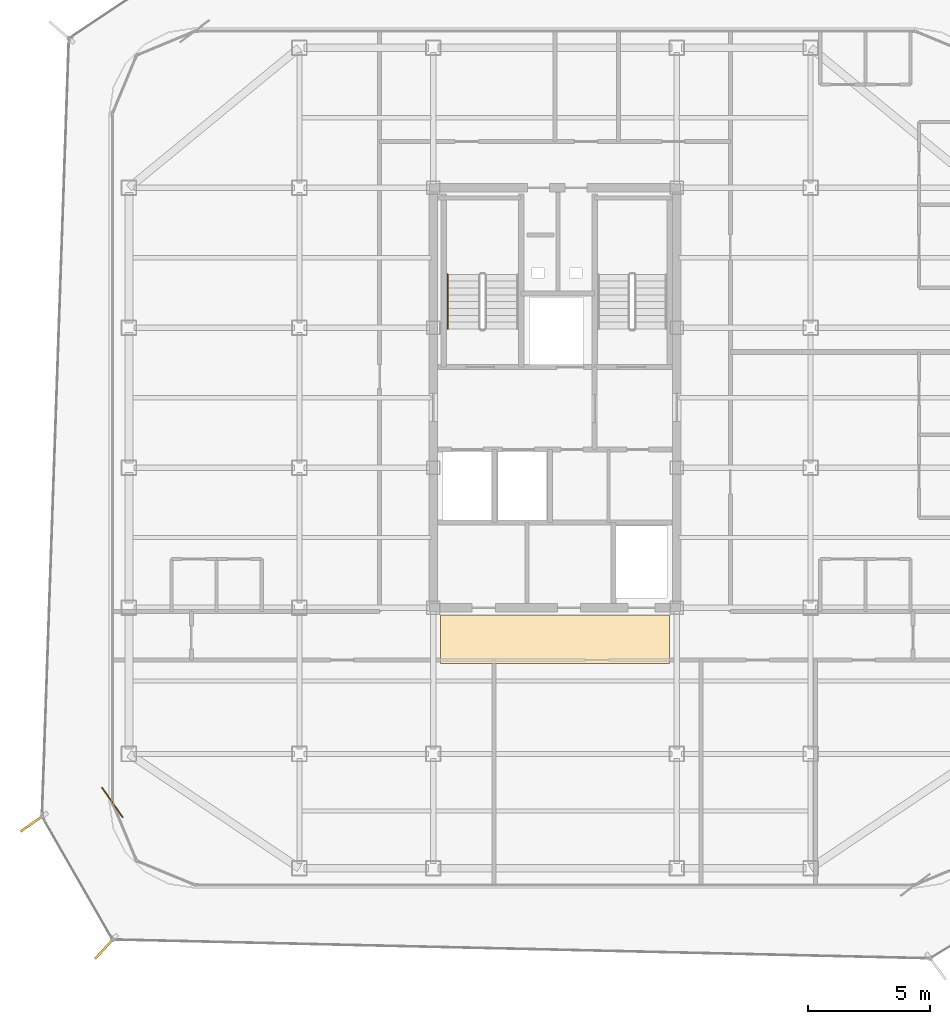
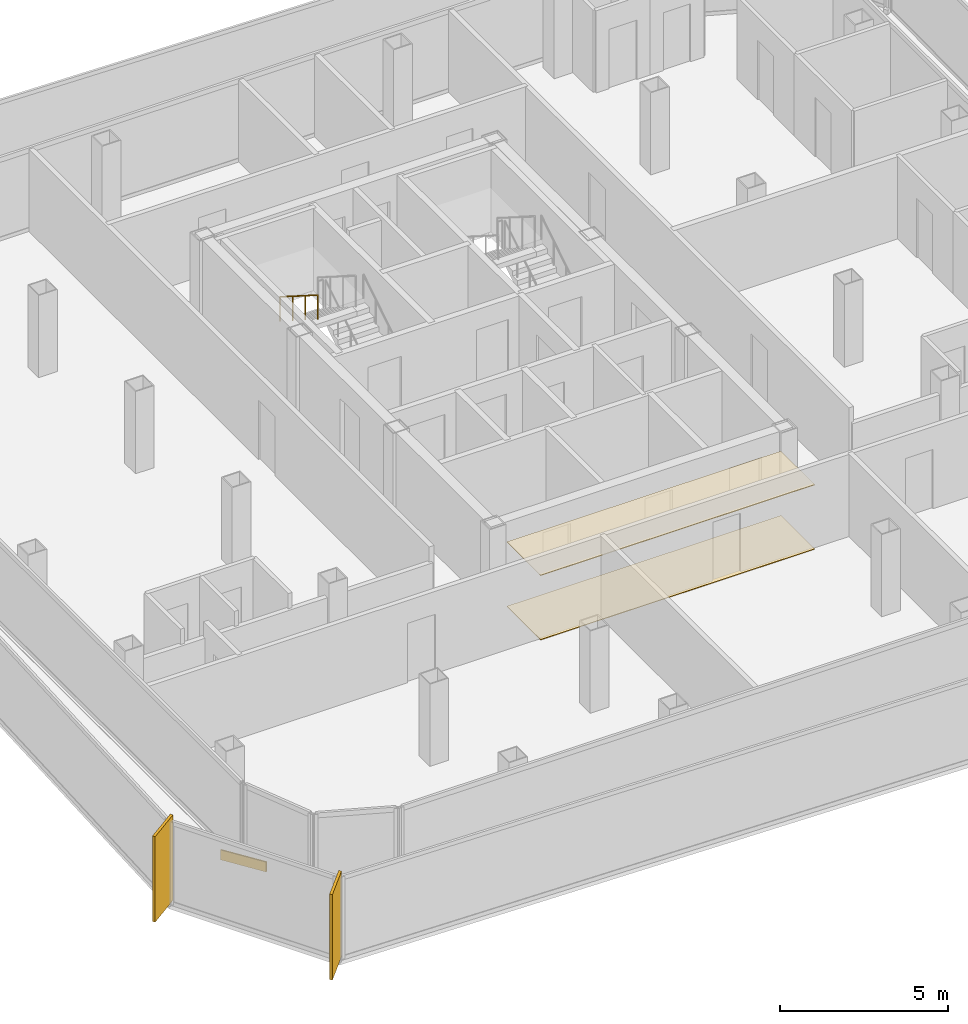
# One storey, part 13 of 15: 3 coverings, 2 shading devices, 1 railing.
"""IFC4 building model written with IfcOpenShell, lengths in metres."""

import ifcopenshell
import ifcopenshell.guid

model = None  # the IFC model being written
_history = None  # IfcOwnerHistory: only IFC2X3 demands one
_inside = {}  # id of a spatial element -> (the spatial element, [elements in it])
_under = {}  # id of a project, library or spatial element -> (it, [spatial elements below it])
_declared = {}  # id of a project -> (the project, [libraries it declares])
_typed = {}  # id of a type object -> (the type object, [elements of that type])
_made_of = {}  # id of a material, layer set ... -> (it, [elements and type objects made of it])


def new_model(schema):
    """Start an empty IFC model of exactly this schema.

    Asked for "IFC4X3", IfcOpenShell would pick the latest addendum, in which some entities
    have other attributes; the version numbers below select the first issue.
    IFC2X3 requires an IfcOwnerHistory on every rooted entity: one is made here for all.
    """
    global model, _history
    if schema == "IFC4X3":
        model = ifcopenshell.file(schema_version=(4, 3, 0, 0))
    else:
        model = ifcopenshell.file(schema=schema)
    _inside.clear()
    _under.clear()
    _declared.clear()
    _typed.clear()
    _made_of.clear()
    _history = None
    if model.schema == "IFC2X3":
        org = make("IfcOrganization", Name="unknown")
        user = make(
            "IfcPersonAndOrganization",
            ThePerson=make("IfcPerson", FamilyName="unknown"),
            TheOrganization=org,
        )
        app = make(
            "IfcApplication",
            ApplicationDeveloper=org,
            Version="unknown",
            ApplicationFullName="unknown",
            ApplicationIdentifier="unknown",
        )
        _history = make(
            "IfcOwnerHistory",
            OwningUser=user,
            OwningApplication=app,
            ChangeAction="ADDED",
            CreationDate=0,
        )
    return model


def make(cls, **values):
    """One entity of the class cls with the attributes given. An attribute that is None is left unset."""
    return model.create_entity(
        cls, **{name: value for name, value in values.items() if value is not None}
    )


def rooted(cls, **values):
    """An entity with a GlobalId (a new one), such as an element, a storey or a relation."""
    return make(cls, GlobalId=ifcopenshell.guid.new(), OwnerHistory=_history, **values)


def si_unit(unit_type, name, prefix=None):
    """IfcSIUnit, for example si_unit("LENGTHUNIT", "METRE", prefix="MILLI")."""
    return make("IfcSIUnit", UnitType=unit_type, Prefix=prefix, Name=name)


def assignment(units):
    """IfcUnitAssignment: the units of a project."""
    return None if units is None else make("IfcUnitAssignment", Units=units)


def point(xyz):
    """IfcCartesianPoint."""
    return None if xyz is None else make("IfcCartesianPoint", Coordinates=xyz)


def direction(xyz):
    """IfcDirection."""
    return None if xyz is None else make("IfcDirection", DirectionRatios=xyz)


def frame(location, z_axis=None, x_axis=None):
    """IfcAxis2Placement3D, a coordinate frame: its origin and axes. An axis left out is left unset."""
    return make(
        "IfcAxis2Placement3D",
        Location=point(location),
        Axis=direction(z_axis),
        RefDirection=direction(x_axis),
    )


def frame_2d(location, x_axis=None):
    """IfcAxis2Placement2D, a coordinate frame in the plane: its origin and x axis."""
    return make(
        "IfcAxis2Placement2D", Location=point(location), RefDirection=direction(x_axis)
    )


def origin():
    """The frame at (0, 0, 0) with its axes left unset."""
    return frame((0.0, 0.0, 0.0))


def origin_2d():
    """The frame at (0, 0) in the plane with its x axis left unset."""
    return frame_2d((0.0, 0.0))


def place(relative_to, where):
    """IfcLocalPlacement: puts the frame where relative to a parent placement (None: the world)."""
    return make(
        "IfcLocalPlacement", PlacementRelTo=relative_to, RelativePlacement=where
    )


def context(
    kind, dimensions, precision=None, world=None, true_north=None, identifier=None
):
    """IfcGeometricRepresentationContext, for example the 3D "Model" context."""
    return make(
        "IfcGeometricRepresentationContext",
        ContextIdentifier=identifier,
        ContextType=kind,
        CoordinateSpaceDimension=dimensions,
        Precision=precision,
        WorldCoordinateSystem=world,
        TrueNorth=true_north,
    )


def subcontext(parent, identifier, kind, view, scale=None):
    """IfcGeometricRepresentationSubContext, for example "Body" below "Model"."""
    return make(
        "IfcGeometricRepresentationSubContext",
        ContextIdentifier=identifier,
        ContextType=kind,
        ParentContext=parent,
        TargetScale=scale,
        TargetView=view,
    )


def project(units=None, contexts=None):
    """IfcProject with its units and contexts."""
    return rooted(
        "IfcProject",
        Name="project",
        RepresentationContexts=contexts,
        UnitsInContext=assignment(units),
    )


def spatial(cls, under=None, at=None, **own):
    """A site, building, storey or space (cls), placed at a placement, below another one or the project."""
    s = rooted(cls, ObjectPlacement=at, **own)
    if under is not None:
        _under.setdefault(under.id(), (under, []))[1].append(s)
    return s


def polyline(points):
    """IfcPolyline through the points."""
    return make("IfcPolyline", Points=[point(p) for p in points])


def profile(cls, at=None, kind="AREA", **sizes):
    """A parametric profile (cls). Its sizes go by their IFC names, for example OverallWidth=200.0."""
    return make(cls, ProfileType=kind, Position=at, **sizes)


def rectangle(**sizes):
    """IfcRectangleProfileDef."""
    return profile("IfcRectangleProfileDef", **sizes)


def circle(**sizes):
    """IfcCircleProfileDef."""
    return profile("IfcCircleProfileDef", **sizes)


def outline(outer, holes=None, kind="AREA"):
    """IfcArbitraryClosedProfileDef: a profile drawn as a closed curve; with holes, ...WithVoids."""
    if holes is None:
        return make("IfcArbitraryClosedProfileDef", ProfileType=kind, OuterCurve=outer)
    return make(
        "IfcArbitraryProfileDefWithVoids",
        ProfileType=kind,
        OuterCurve=outer,
        InnerCurves=holes,
    )


def extrude(swept, where, along, depth):
    """IfcExtrudedAreaSolid: the profile swept, set in the frame where, extruded along a direction by depth."""
    return make(
        "IfcExtrudedAreaSolid",
        SweptArea=swept,
        Position=where,
        ExtrudedDirection=direction(along),
        Depth=depth,
    )


def shape(context_of_items, identifier, shape_type, items):
    """IfcShapeRepresentation: the items that make up one representation, for example the "Body"."""
    return make(
        "IfcShapeRepresentation",
        ContextOfItems=context_of_items,
        RepresentationIdentifier=identifier,
        RepresentationType=shape_type,
        Items=items,
    )


def source(mapping_origin, context_of_items, identifier, shape_type, items):
    """IfcRepresentationMap: a shape defined once, which mapped items show again and again."""
    return make(
        "IfcRepresentationMap",
        MappingOrigin=mapping_origin,
        MappedRepresentation=shape(context_of_items, identifier, shape_type, items),
    )


def transform(
    local_origin,
    x_axis=None,
    y_axis=None,
    z_axis=None,
    scale=None,
    scale2=None,
    scale3=None,
    uniform=True,
):
    """IfcCartesianTransformationOperator3D, or its non-uniform kind. x_axis, y_axis, z_axis: its Axis1, 2, 3."""
    if uniform:
        return make(
            "IfcCartesianTransformationOperator3D",
            Axis1=direction(x_axis),
            Axis2=direction(y_axis),
            LocalOrigin=point(local_origin),
            Scale=scale,
            Axis3=direction(z_axis),
        )
    return make(
        "IfcCartesianTransformationOperator3DnonUniform",
        Axis1=direction(x_axis),
        Axis2=direction(y_axis),
        LocalOrigin=point(local_origin),
        Scale=scale,
        Axis3=direction(z_axis),
        Scale2=scale2,
        Scale3=scale3,
    )


def mapped(mapping_source, mapping_target):
    """IfcMappedItem: shows the shape of a source again, moved by a transform."""
    return make(
        "IfcMappedItem", MappingSource=mapping_source, MappingTarget=mapping_target
    )


def material(Name=None, Category=None):
    """IfcMaterial."""
    return make("IfcMaterial", Name=Name, Category=Category)


def layer(
    of_material, thickness, ventilated=None, Name=None, Category=None, Priority=None
):
    """IfcMaterialLayer: one layer of a wall or slab, of a material (None: an air gap)."""
    return make(
        "IfcMaterialLayer",
        Material=of_material,
        LayerThickness=thickness,
        IsVentilated=ventilated,
        Name=Name,
        Category=Category,
        Priority=Priority,
    )


def layer_set(layers, Name=None):
    """IfcMaterialLayerSet."""
    return make("IfcMaterialLayerSet", MaterialLayers=layers, LayerSetName=Name)


def made_of(thing, what):
    """Note that an element or type object is made of a material, layer set ...; save() writes the relation."""
    if what is not None:
        _made_of.setdefault(what.id(), (what, []))[1].append(thing)
    return thing


def type_object(cls, material=None, **own):
    """A type object (cls), such as IfcWallType, which elements share."""
    return made_of(rooted(cls, **own), material)


def element(
    cls,
    number,
    at=None,
    inside=None,
    cuts=None,
    type_object=None,
    material=None,
    context=None,
    identifier="Body",
    shape_type=None,
    held_by="IfcProductDefinitionShape",
    body=None,
    shapes=None,
    **own,
):
    """One element of the class cls, such as IfcWall. Its Tag is "e" and its number.

    at: its placement. inside: the storey or other place that contains it. cuts: it is an
    opening in that element (IfcRelVoidsElement). A single representation is given by context,
    identifier, shape_type and body (its items); several are given by shapes. held_by: the class
    of the entity that holds the representations. save() writes the other relations.
    """
    e = rooted(cls, Tag="e%d" % number, ObjectPlacement=at, **own)
    if body is not None:
        shapes = [shape(context, identifier, shape_type, body)]
    if shapes is not None:
        e.Representation = make(held_by, Representations=shapes)
    if inside is not None:
        _inside.setdefault(inside.id(), (inside, []))[1].append(e)
    if cuts is not None:
        rooted(
            "IfcRelVoidsElement", RelatingBuildingElement=cuts, RelatedOpeningElement=e
        )
    if type_object is not None:
        _typed.setdefault(type_object.id(), (type_object, []))[1].append(e)
    return made_of(e, material)


def aggregate(whole, parts):
    """IfcRelAggregates: a whole, such as a stair, and the parts it consists of."""
    return rooted("IfcRelAggregates", RelatingObject=whole, RelatedObjects=parts)


def save(model, path):
    """Write the relations noted so far, then the file.

    IfcRelAggregates (storeys below a building ...), IfcRelContainedInSpatialStructure (elements
    in a storey), IfcRelDefinesByType, IfcRelAssociatesMaterial and IfcRelDeclares: one each for
    every whole, place, type object, material and project.
    """
    for whole, parts in _under.values():
        aggregate(whole, parts)
    for where, things in _inside.values():
        rooted(
            "IfcRelContainedInSpatialStructure",
            RelatedElements=things,
            RelatingStructure=where,
        )
    for kind, things in _typed.values():
        rooted("IfcRelDefinesByType", RelatedObjects=things, RelatingType=kind)
    for what, things in _made_of.values():
        rooted("IfcRelAssociatesMaterial", RelatedObjects=things, RelatingMaterial=what)
    for by, libraries in _declared.values():
        rooted("IfcRelDeclares", RelatingContext=by, RelatedDefinitions=libraries)
    model.write(path)


model = new_model("IFC4")

# Units and contexts
model_context = context("Model", 3, precision=1e-05, world=origin(), true_north=direction((0.0, 1.0)))
body_context = subcontext(model_context, "Body", "Model", "MODEL_VIEW")
ifc_project = project(units=[si_unit("LENGTHUNIT", "METRE"), si_unit("AREAUNIT", "SQUARE_METRE"), si_unit("VOLUMEUNIT", "CUBIC_METRE"), si_unit("PLANEANGLEUNIT", "RADIAN"), si_unit("MASSUNIT", "GRAM", prefix="KILO")], contexts=[model_context])

# Site, building, storey
site_placement = place(None, origin())
site = spatial("IfcSite", under=ifc_project, at=site_placement, CompositionType="ELEMENT")
building_placement = place(site_placement, origin())
building = spatial("IfcBuilding", under=site, at=building_placement, Name="Kolveth Station Tower", CompositionType="ELEMENT")
storey_placement = place(building_placement, frame((0.0, 0.0, 264.89990234375)))
storey = spatial("IfcBuildingStorey", under=building, at=storey_placement, Name="L76", CompositionType="ELEMENT", Elevation=264.89990234375)

# Coverings
ifc_material_1 = material(Name="Acoustic mineral-fibre ceiling tile")
ifc_layer_1 = layer(ifc_material_1, 0.02490234375)
ifc_layer_set_1 = layer_set([ifc_layer_1], Name="Acoustic mineral-fibre ceiling tile")
covering_type_1 = type_object("IfcCoveringType", Name="Ceil_CL1", PredefinedType="CEILING", material=ifc_layer_set_1)
covering_1_placement = place(storey_placement, frame((0.0, 0.0, 2.330078125)))
element("IfcCovering", 1, at=covering_1_placement, inside=storey, type_object=covering_type_1, Name="L76 Lift Lobby Suspended Ceiling", PredefinedType="CEILING", context=body_context, shape_type="SweptSolid", body=[
    extrude(outline(polyline([(18.800048828125, 9.199951171875), (28.199951171875, 9.199951171875), (28.199951171875, 11.199951171875), (18.800048828125, 11.199951171875), (18.800048828125, 9.199951171875)])), origin(), (0.0, 0.0, 1.0), 0.02490234375),
])
ifc_material_2 = material(Name="Honed terrazzo flooring")
ifc_layer_2 = layer(ifc_material_2, 0.02001953125)
ifc_layer_set_2 = layer_set([ifc_layer_2], Name="Honed terrazzo flooring")
covering_type_2 = type_object("IfcCoveringType", Name="Floor_FL1", PredefinedType="FLOORING", material=ifc_layer_set_2)
covering_2_placement = place(storey_placement, origin())
element("IfcCovering", 2, at=covering_2_placement, inside=storey, type_object=covering_type_2, Name="L76 Lift Lobby Floor Finish", PredefinedType="FLOORING", context=body_context, shape_type="SweptSolid", body=[
    extrude(outline(polyline([(18.800048828125, 9.199951171875), (28.199951171875, 9.199951171875), (28.199951171875, 11.199951171875), (18.800048828125, 11.199951171875), (18.800048828125, 9.199951171875)])), origin(), (0.0, 0.0, 1.0), 0.02001953125),
])

# Railing
ifc_material_3 = material(Name="Brushed stainless steel", Category="steel")
railing_type = type_object("IfcRailingType", Name="Handrail_HR1", PredefinedType="HANDRAIL", material=ifc_material_3)
railing_placement = place(storey_placement, frame((19.090087890625, 25.18994140625, 1.77783203125)))
element("IfcRailing", 3, at=railing_placement, inside=storey, type_object=railing_type, Name="L76 ST1 stair handrail 2", PredefinedType="HANDRAIL", context=body_context, shape_type="SweptSolid", body=[
    extrude(circle(Radius=0.02392578125, at=origin_2d()), frame((0.0, 0.0, 0.8759765625), z_axis=(0.0, -0.84418770128, 0.536047689118), x_axis=(1.0, 0.0, 0.0)), (0.0, 0.0, 1.0), 2.6533203125),
    extrude(circle(Radius=0.02099609375, at=origin_2d()), origin(), (0.0, 0.0, 1.0), 0.851806640625),
    extrude(circle(Radius=0.02099609375, at=origin_2d()), frame((0.0, -0.74658203125, 0.47412109375)), (0.0, 0.0, 1.0), 0.851806640625),
    extrude(circle(Radius=0.02099609375, at=origin_2d()), frame((0.0, -1.493408203125, 0.9482421875)), (0.0, 0.0, 1.0), 0.851806640625),
    extrude(circle(Radius=0.02099609375, at=origin_2d()), frame((0.0, -2.239990234375, 1.42236328125)), (0.0, 0.0, 1.0), 0.851806640625),
])

# Shading devices
ifc_material_4 = material(Name="Black anodized aluminium 6063-T6", Category="aluminium")
shading_device_type = type_object("IfcShadingDeviceType", Name="FIN_VF1", PredefinedType="USERDEFINED", material=ifc_material_4)
shared_shape_1 = source(origin(), body_context, "Body", "SweptSolid", [
    extrude(rectangle(XDim=1.25, YDim=0.090087890625, at=origin_2d()), origin(), (0.0, 0.0, 1.0), 3.10009765625),
])
for number, where, z_axis, x_axis, name in (
    (4, (2.06396484375, 2.6689453125, 0.0), (0.0, 0.0, 1.0), (-0.819652272182, -0.572861373028, 0.0), "L76 Dark-Aluminium Solar Fin 7"),
    (5, (5.031005859375, -2.462890625, 0.0), (0.0, 0.0, 1.0), (-0.676361912062, -0.736569456271, 0.0), "L76 Dark-Aluminium Solar Fin 8"),
):
    element("IfcShadingDevice", number, at=place(storey_placement, frame(where, z_axis=z_axis, x_axis=x_axis)), inside=storey, type_object=shading_device_type, Name=name, ObjectType="FIN", PredefinedType="USERDEFINED", context=body_context, shape_type="MappedRepresentation", body=[
        mapped(shared_shape_1, transform((0.0, 0.0, 0.0), x_axis=(1.0, 0.0, 0.0), y_axis=(0.0, 1.0, 0.0), z_axis=(0.0, 0.0, 1.0), scale=1.0)),
    ])

# Covering
ifc_material_5 = material(Name="Charcoal anodized aluminium spandrel cladding", Category="aluminium")
ifc_layer_3 = layer(ifc_material_5, 0.044921875)
ifc_layer_set_3 = layer_set([ifc_layer_3], Name="Charcoal anodized aluminium spandrel cladding")
covering_type_3 = type_object("IfcCoveringType", Name="Clad_CD1", PredefinedType="CLADDING", material=ifc_layer_set_3)
shared_shape_2 = source(origin(), body_context, "Body", "SweptSolid", [
    extrude(rectangle(XDim=1.5, YDim=0.044921875, at=origin_2d()), origin(), (0.0, 0.0, 1.0), 0.360107421875),
])
covering_3_placement = place(storey_placement, frame((5.320068359375, 3.5, 0.0), z_axis=(0.0, 0.0, 1.0), x_axis=(0.572861373028, -0.819652272182, 0.0)))
element("IfcCovering", 6, at=covering_3_placement, inside=storey, type_object=covering_type_3, Name="L76 Spandrel Edge Cladding 7", PredefinedType="CLADDING", context=body_context, shape_type="MappedRepresentation", body=[
    mapped(shared_shape_2, transform((0.0, 0.0, 0.0), x_axis=(1.0, 0.0, 0.0), y_axis=(0.0, 1.0, 0.0), z_axis=(0.0, 0.0, 1.0), scale=1.0)),
])

save(model, "model.ifc")
